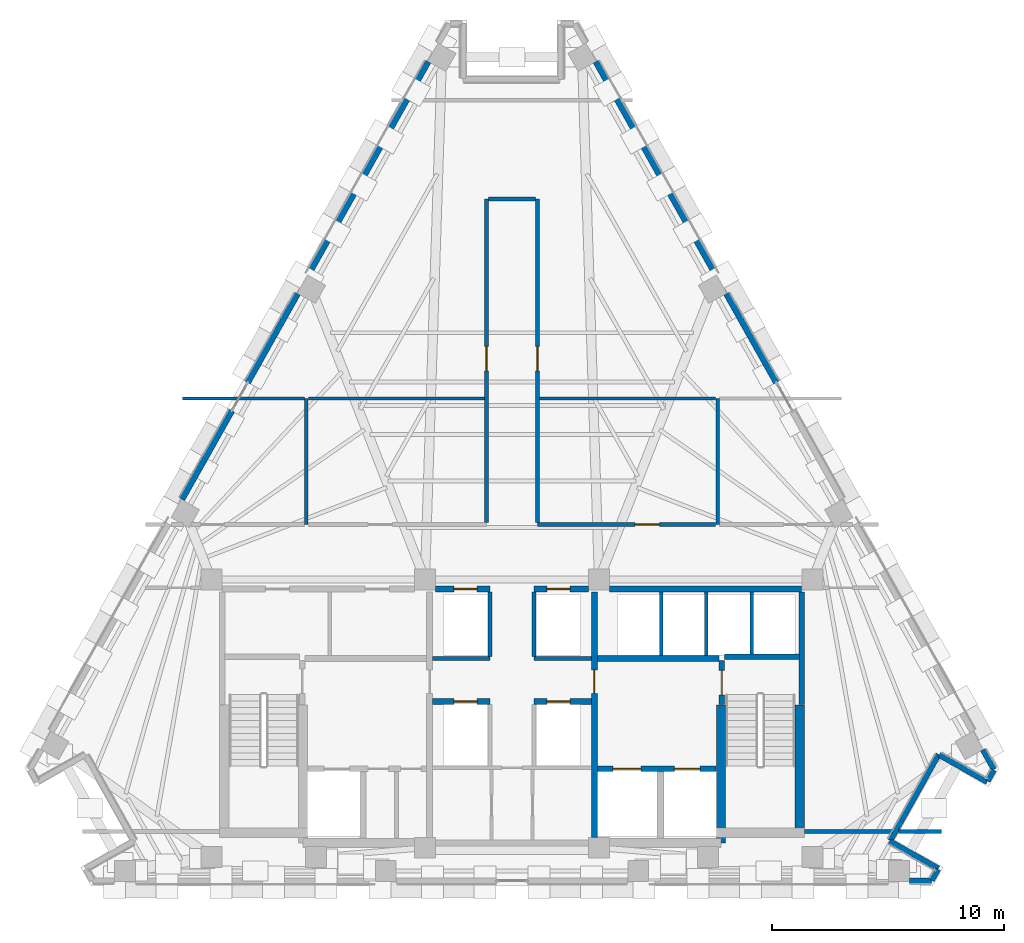
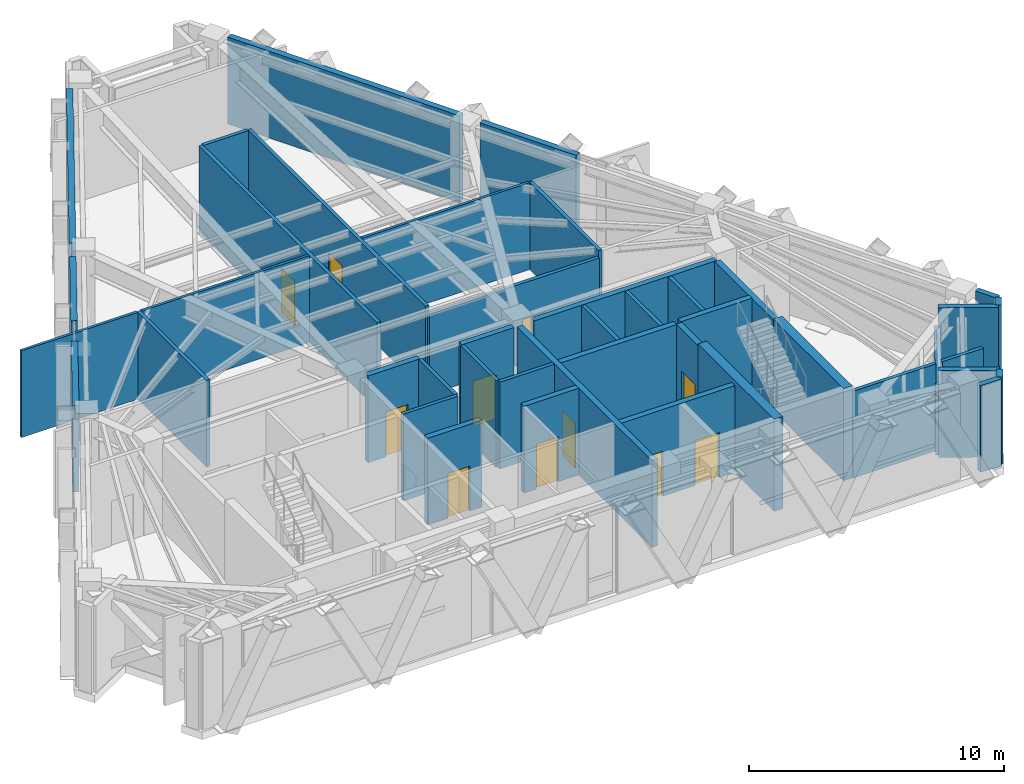
# One storey, part 7 of 11: 43 walls, 11 doors, 11 openings.
"""IFC4 building model written with IfcOpenShell, lengths in metres."""

from ifc_helpers import new_model, si_unit, direction, frame, frame_2d, origin, place, context, subcontext, project, spatial, rectangle, extrude, material, layer, layer_set, type_object, element, fill, save


model = new_model("IFC4")

# Units and contexts
model_context = context("Model", 3, precision=1e-05, world=origin(), true_north=direction((0.0, 1.0)))
body_context = subcontext(model_context, "Body", "Model", "MODEL_VIEW")
ifc_project = project(units=[si_unit("LENGTHUNIT", "METRE"), si_unit("AREAUNIT", "SQUARE_METRE"), si_unit("VOLUMEUNIT", "CUBIC_METRE"), si_unit("PLANEANGLEUNIT", "RADIAN"), si_unit("MASSUNIT", "GRAM", prefix="KILO")], contexts=[model_context])

# Site, building, storey
site_placement = place(None, origin())
site = spatial("IfcSite", under=ifc_project, at=site_placement, CompositionType="ELEMENT")
building_placement = place(site_placement, origin())
building = spatial("IfcBuilding", under=site, at=building_placement, Name="Quenlor Broadcast Tower", CompositionType="ELEMENT")
storey_placement = place(building_placement, frame((0.0, 0.0, 179.0)))
storey = spatial("IfcBuildingStorey", under=building, at=storey_placement, Name="L49", CompositionType="ELEMENT", Elevation=179.0)

# Walls
ifc_material_1 = material(Name="Concrete C50/60", Category="concrete")
ifc_layer_1 = layer(ifc_material_1, 0.39990234375)
ifc_layer_set_1 = layer_set([ifc_layer_1], Name="Core Concrete C50/60 Shear Wall 400")
wall_type_1 = type_object("IfcWallType", Name="Core Concrete C50/60 Shear Wall 400", PredefinedType="SHEAR", material=ifc_layer_set_1)
wall_1_placement = place(storey_placement, frame((12.39990234375, -15.699951171875, 0.0), z_axis=(0.0, 0.0, 1.0), x_axis=(0.0, 1.0, 0.0)))
element("IfcWall", 1, at=wall_1_placement, inside=storey, type_object=wall_type_1, Name="L49 Core Shear Wall WF-E", PredefinedType="SHEAR", context=body_context, shape_type="SweptSolid", body=[
    extrude(rectangle(XDim=5.5, YDim=0.39990234375, at=frame_2d((2.75, 0.0))), origin(), (0.0, 0.0, 1.0), 4.39990234375),
])
wall_2_placement = place(storey_placement, frame((9.0, -16.14990234375, 0.0), z_axis=(0.0, 0.0, 1.0), x_axis=(0.0, 1.0, 0.0)))
element("IfcWall", 2, at=wall_2_placement, inside=storey, type_object=wall_type_1, Name="L49 Core Shear Wall WI-E", PredefinedType="SHEAR", context=body_context, shape_type="SweptSolid", body=[
    extrude(rectangle(XDim=5.949951171875, YDim=0.39990234375, at=frame_2d((2.97509765625, 0.0))), origin(), (0.0, 0.0, 1.0), 4.39990234375),
])

# Wall, opening, door
ifc_material_2 = material(Name="Concrete C40/50", Category="concrete")
ifc_layer_2 = layer(ifc_material_2, 0.25)
ifc_layer_set_2 = layer_set([ifc_layer_2], Name="Fire Rated Concrete C40/50 Core Wall 250")
wall_type_2 = type_object("IfcWallType", Name="Fire Rated Concrete C40/50 Core Wall 250", PredefinedType="PARTITIONING", material=ifc_layer_set_2)
wall_3_placement = place(storey_placement, frame((9.0400390625, -10.179931640625, 0.0), z_axis=(0.0, 0.0, 1.0), x_axis=(0.0, 1.0, 0.0)))
wall_3 = element("IfcWall", 3, at=wall_3_placement, inside=storey, type_object=wall_type_2, Name="L49 Interior Wall CW-ST2-DR", PredefinedType="PARTITIONING", context=body_context, shape_type="SweptSolid", body=[
    extrude(rectangle(XDim=1.89990234375, YDim=0.25, at=frame_2d((0.949951171875, 0.0))), origin(), (0.0, 0.0, 1.0), 4.14990234375),
])
opening_1_placement = place(wall_3_placement, frame((0.419921875, 0.0, 0.0)))
opening_1 = element("IfcOpeningElement", 4, at=opening_1_placement, cuts=wall_3, Name="Opening FD-1", PredefinedType="OPENING", context=body_context, shape_type="SweptSolid", body=[
    extrude(rectangle(XDim=1.050048828125, YDim=2.14990234375, at=frame_2d((0.52490234375, 1.074951171875))), frame((0.0, 0.135009765625, 0.0), z_axis=(0.0, -1.0, 0.0), x_axis=(1.0, 0.0, 0.0)), (0.0, 0.0, 1.0), 0.27001953125),
])
ifc_material_3 = material(Name="Fire Rated Steel Door Leaf", Category="steel")
door_type_1 = type_object("IfcDoorType", Name="Fire Isolated Stair Door 1050x2150", OperationType="NOTDEFINED", PredefinedType="DOOR", material=ifc_material_3)
door_1_placement = place(opening_1_placement, origin())
door_1 = element("IfcDoor", 5, at=door_1_placement, inside=storey, type_object=door_type_1, Name="L49 Door DR-ST2", OperationType="SINGLE_SWING_RIGHT", OverallHeight=2.14990234375, OverallWidth=1.050048828125, PredefinedType="DOOR", context=body_context, shape_type="SweptSolid", body=[
    extrude(rectangle(XDim=1.050048828125, YDim=2.14990234375, at=frame_2d((0.52490234375, 1.074951171875))), frame((0.0, 0.02490234375, 0.0), z_axis=(0.0, -1.0, 0.0), x_axis=(1.0, 0.0, 0.0)), (0.0, 0.0, 1.0), 0.050048828125),
])
fill(opening_1, door_1)

# Walls
wall_4_placement = place(storey_placement, frame((9.159912109375, -8.1201171875, 0.0), z_axis=(0.0, 0.0, 1.0), x_axis=(1.0, 0.0, 0.0)))
element("IfcWall", 6, at=wall_4_placement, inside=storey, type_object=wall_type_2, Name="L49 Interior Wall CW-ST2-N", PredefinedType="PARTITIONING", context=body_context, shape_type="SweptSolid", body=[
    extrude(rectangle(XDim=3.219970703125, YDim=0.25, at=frame_2d((1.60986328125, 0.0))), origin(), (0.0, 0.0, 1.0), 4.14990234375),
])
wall_5_placement = place(storey_placement, frame((12.47998046875, -10.179931640625, 0.0), z_axis=(0.0, 0.0, 1.0), x_axis=(0.0, 1.0, 0.0)))
element("IfcWall", 7, at=wall_5_placement, inside=storey, type_object=wall_type_2, Name="L49 Interior Wall CW-ST2-E2", PredefinedType="PARTITIONING", context=body_context, shape_type="SweptSolid", body=[
    extrude(rectangle(XDim=4.83984375, YDim=0.25, at=frame_2d((2.419921875, 0.0))), origin(), (0.0, 0.0, 1.0), 4.14990234375),
])

# Wall, openings, doors
wall_6_placement = place(storey_placement, frame((3.679931640625, -12.949951171875, 0.0), z_axis=(0.0, 0.0, 1.0), x_axis=(1.0, 0.0, 0.0)))
wall_6 = element("IfcWall", 8, at=wall_6_placement, inside=storey, type_object=wall_type_2, Name="L49 Interior Wall CW-FFE-S", PredefinedType="PARTITIONING", context=body_context, shape_type="SweptSolid", body=[
    extrude(rectangle(XDim=5.1181640625, YDim=0.25, at=frame_2d((2.55908203125, 0.0))), origin(), (0.0, 0.0, 1.0), 4.14990234375),
])
opening_2_placement = place(wall_6_placement, frame((3.320068359375, 0.0, 0.0)))
opening_2 = element("IfcOpeningElement", 9, at=opening_2_placement, cuts=wall_6, Name="Opening LD-FFL-2", PredefinedType="OPENING", context=body_context, shape_type="SweptSolid", body=[
    extrude(rectangle(XDim=1.10009765625, YDim=2.14990234375, at=frame_2d((0.550048828125, 1.074951171875))), frame((0.0, 0.135009765625, 0.0), z_axis=(0.0, -1.0, 0.0), x_axis=(1.0, 0.0, 0.0)), (0.0, 0.0, 1.0), 0.27001953125),
])
opening_3_placement = place(wall_6_placement, frame((0.669921875, 0.0, 0.0)))
opening_3 = element("IfcOpeningElement", 10, at=opening_3_placement, cuts=wall_6, Name="Opening LD-SVL-1", PredefinedType="OPENING", context=body_context, shape_type="SweptSolid", body=[
    extrude(rectangle(XDim=1.199951171875, YDim=2.14990234375, at=frame_2d((0.60009765625, 1.074951171875))), frame((0.0, 0.135009765625, 0.0), z_axis=(0.0, -1.0, 0.0), x_axis=(1.0, 0.0, 0.0)), (0.0, 0.0, 1.0), 0.27001953125),
])
ifc_material_4 = material(Name="Brushed Stainless Steel", Category="steel")
door_type_2 = type_object("IfcDoorType", Name="Emergency Lift Sliding Landing Door 1100x2150", OperationType="NOTDEFINED", PredefinedType="DOOR", material=ifc_material_4)
door_2_placement = place(opening_2_placement, origin())
door_2 = element("IfcDoor", 11, at=door_2_placement, inside=storey, type_object=door_type_2, Name="L49 Door LD-FFL-2", OperationType="SLIDING_TO_RIGHT", OverallHeight=2.14990234375, OverallWidth=1.10009765625, PredefinedType="DOOR", context=body_context, shape_type="SweptSolid", body=[
    extrude(rectangle(XDim=1.10009765625, YDim=2.14990234375, at=frame_2d((0.550048828125, 1.074951171875))), frame((0.0, 0.02490234375, 0.0), z_axis=(0.0, -1.0, 0.0), x_axis=(1.0, 0.0, 0.0)), (0.0, 0.0, 1.0), 0.050048828125),
])
fill(opening_2, door_2)
ifc_material_5 = material(Name="Brushed Stainless Steel", Category="steel")
door_type_3 = type_object("IfcDoorType", Name="Goods Lift Sliding Landing Door 1200x2150", OperationType="NOTDEFINED", PredefinedType="DOOR", material=ifc_material_5)
door_3_placement = place(opening_3_placement, origin())
door_3 = element("IfcDoor", 12, at=door_3_placement, inside=storey, type_object=door_type_3, Name="L49 Door LD-SVL-1", OperationType="SLIDING_TO_LEFT", OverallHeight=2.14990234375, OverallWidth=1.199951171875, PredefinedType="DOOR", context=body_context, shape_type="SweptSolid", body=[
    extrude(rectangle(XDim=1.199951171875, YDim=2.14990234375, at=frame_2d((0.60009765625, 1.074951171875))), frame((0.0, 0.02490234375, 0.0), z_axis=(0.0, -1.0, 0.0), x_axis=(1.0, 0.0, 0.0)), (0.0, 0.0, 1.0), 0.050048828125),
])
fill(opening_3, door_3)

# Wall
wall_7_placement = place(storey_placement, frame((3.679931640625, -8.199951171875, 0.0), z_axis=(0.0, 0.0, 1.0), x_axis=(1.0, 0.0, 0.0)))
element("IfcWall", 13, at=wall_7_placement, inside=storey, type_object=wall_type_2, Name="L49 Interior Wall CW-FFE-N", PredefinedType="PARTITIONING", context=body_context, shape_type="SweptSolid", body=[
    extrude(rectangle(XDim=5.239990234375, YDim=0.25, at=frame_2d((2.6201171875, 0.0))), origin(), (0.0, 0.0, 1.0), 4.14990234375),
])

# Wall, opening, door
wall_8_placement = place(storey_placement, frame((3.550048828125, -15.89794921875, 0.0), z_axis=(0.0, 0.0, 1.0), x_axis=(0.0, 1.0, 0.0)))
wall_8 = element("IfcWall", 14, at=wall_8_placement, inside=storey, type_object=wall_type_2, Name="L49 Interior Wall CW-FFE-W", PredefinedType="PARTITIONING", context=body_context, shape_type="SweptSolid", body=[
    extrude(rectangle(XDim=10.557861328125, YDim=0.25, at=frame_2d((5.27880859375, 0.0))), origin(), (0.0, 0.0, 1.0), 4.14990234375),
])
opening_4_placement = place(wall_8_placement, frame((6.197998046875, 0.0, 0.0)))
opening_4 = element("IfcOpeningElement", 15, at=opening_4_placement, cuts=wall_8, Name="Opening FD-2", PredefinedType="OPENING", context=body_context, shape_type="SweptSolid", body=[
    extrude(rectangle(XDim=1.0, YDim=2.14990234375, at=frame_2d((0.5, 1.074951171875))), frame((0.0, 0.135009765625, 0.0), z_axis=(0.0, -1.0, 0.0), x_axis=(1.0, 0.0, 0.0)), (0.0, 0.0, 1.0), 0.27001953125),
])
ifc_material_6 = material(Name="Fire Rated Glazed Steel Door", Category="steel")
door_type_4 = type_object("IfcDoorType", Name="Firefighting Lobby Smoke Door 1000x2150", OperationType="NOTDEFINED", PredefinedType="DOOR", material=ifc_material_6)
door_4_placement = place(opening_4_placement, origin())
door_4 = element("IfcDoor", 16, at=door_4_placement, inside=storey, type_object=door_type_4, Name="L49 Door DR-FFLE", OperationType="SINGLE_SWING_LEFT", OverallHeight=2.14990234375, OverallWidth=1.0, PredefinedType="DOOR", context=body_context, shape_type="SweptSolid", body=[
    extrude(rectangle(XDim=1.0, YDim=2.14990234375, at=frame_2d((0.5, 1.074951171875))), frame((0.0, 0.02490234375, 0.0), z_axis=(0.0, -1.0, 0.0), x_axis=(1.0, 0.0, 0.0)), (0.0, 0.0, 1.0), 0.050048828125),
])
fill(opening_4, door_4)

# Wall
wall_9_placement = place(storey_placement, frame((4.201904296875, -5.199951171875, 0.0), z_axis=(0.0, 0.0, 1.0), x_axis=(1.0, 0.0, 0.0)))
element("IfcWall", 17, at=wall_9_placement, inside=storey, type_object=wall_type_2, Name="L49 Interior Wall CW-N-E", PredefinedType="PARTITIONING", context=body_context, shape_type="SweptSolid", body=[
    extrude(rectangle(XDim=8.278076171875, YDim=0.25, at=frame_2d((4.13916015625, 0.0))), origin(), (0.0, 0.0, 1.0), 4.14990234375),
])

# Wall, opening, door
wall_10_placement = place(storey_placement, frame((-3.298095703125, -5.199951171875, 0.0), z_axis=(0.0, 0.0, 1.0), x_axis=(1.0, 0.0, 0.0)))
wall_10 = element("IfcWall", 18, at=wall_10_placement, inside=storey, type_object=wall_type_2, Name="L49 Interior Wall CW-N-M1", PredefinedType="PARTITIONING", context=body_context, shape_type="SweptSolid", body=[
    extrude(rectangle(XDim=2.34814453125, YDim=0.25, at=frame_2d((1.174072265625, 0.0))), origin(), (0.0, 0.0, 1.0), 4.14990234375),
])
opening_5_placement = place(wall_10_placement, frame((0.798095703125, 0.0, 0.0)))
opening_5 = element("IfcOpeningElement", 19, at=opening_5_placement, cuts=wall_10, Name="Opening LD-PL-M1", PredefinedType="OPENING", context=body_context, shape_type="SweptSolid", body=[
    extrude(rectangle(XDim=1.0, YDim=2.14990234375, at=frame_2d((0.5, 1.074951171875))), frame((0.0, 0.135009765625, 0.0), z_axis=(0.0, -1.0, 0.0), x_axis=(1.0, 0.0, 0.0)), (0.0, 0.0, 1.0), 0.27001953125),
])
ifc_material_7 = material(Name="Brushed Stainless Steel", Category="steel")
door_type_5 = type_object("IfcDoorType", Name="Passenger Lift Sliding Landing Door 1000x2150", OperationType="NOTDEFINED", PredefinedType="DOOR", material=ifc_material_7)
door_5_placement = place(opening_5_placement, origin())
door_5 = element("IfcDoor", 20, at=door_5_placement, inside=storey, type_object=door_type_5, Name="L49 Door LD-PL-M1", OperationType="SLIDING_TO_LEFT", OverallHeight=2.14990234375, OverallWidth=1.0, PredefinedType="DOOR", context=body_context, shape_type="SweptSolid", body=[
    extrude(rectangle(XDim=1.0, YDim=2.14990234375, at=frame_2d((0.5, 1.074951171875))), frame((0.0, 0.02490234375, 0.0), z_axis=(0.0, -1.0, 0.0), x_axis=(1.0, 0.0, 0.0)), (0.0, 0.0, 1.0), 0.050048828125),
])
fill(opening_5, door_5)

wall_11_placement = place(storey_placement, frame((0.949951171875, -5.199951171875, 0.0), z_axis=(0.0, 0.0, 1.0), x_axis=(1.0, 0.0, 0.0)))
wall_11 = element("IfcWall", 21, at=wall_11_placement, inside=storey, type_object=wall_type_2, Name="L49 Interior Wall CW-N-M2", PredefinedType="PARTITIONING", context=body_context, shape_type="SweptSolid", body=[
    extrude(rectangle(XDim=2.34814453125, YDim=0.25, at=frame_2d((1.174072265625, 0.0))), origin(), (0.0, 0.0, 1.0), 4.14990234375),
])
opening_6_placement = place(wall_11_placement, frame((0.550048828125, 0.0, 0.0)))
opening_6 = element("IfcOpeningElement", 22, at=opening_6_placement, cuts=wall_11, Name="Opening LD-PL-M2", PredefinedType="OPENING", context=body_context, shape_type="SweptSolid", body=[
    extrude(rectangle(XDim=1.0, YDim=2.14990234375, at=frame_2d((0.5, 1.074951171875))), frame((0.0, 0.135009765625, 0.0), z_axis=(0.0, -1.0, 0.0), x_axis=(1.0, 0.0, 0.0)), (0.0, 0.0, 1.0), 0.27001953125),
])
door_6_placement = place(opening_6_placement, origin())
door_6 = element("IfcDoor", 23, at=door_6_placement, inside=storey, type_object=door_type_5, Name="L49 Door LD-PL-M2", OperationType="SLIDING_TO_RIGHT", OverallHeight=2.14990234375, OverallWidth=1.0, PredefinedType="DOOR", context=body_context, shape_type="SweptSolid", body=[
    extrude(rectangle(XDim=1.0, YDim=2.14990234375, at=frame_2d((0.5, 1.074951171875))), frame((0.0, 0.02490234375, 0.0), z_axis=(0.0, -1.0, 0.0), x_axis=(1.0, 0.0, 0.0)), (0.0, 0.0, 1.0), 0.050048828125),
])
fill(opening_6, door_6)

wall_12_placement = place(storey_placement, frame((-3.419921875, -10.050048828125, 0.0), z_axis=(0.0, 0.0, 1.0), x_axis=(1.0, 0.0, 0.0)))
wall_12 = element("IfcWall", 24, at=wall_12_placement, inside=storey, type_object=wall_type_2, Name="L49 Interior Wall CW-MS-N1", PredefinedType="PARTITIONING", context=body_context, shape_type="SweptSolid", body=[
    extrude(rectangle(XDim=2.469970703125, YDim=0.25, at=frame_2d((1.23486328125, 0.0))), origin(), (0.0, 0.0, 1.0), 4.14990234375),
])
opening_7_placement = place(wall_12_placement, frame((0.919921875, 0.0, 0.0)))
opening_7 = element("IfcOpeningElement", 25, at=opening_7_placement, cuts=wall_12, Name="Opening LD-PL-M3", PredefinedType="OPENING", context=body_context, shape_type="SweptSolid", body=[
    extrude(rectangle(XDim=1.0, YDim=2.14990234375, at=frame_2d((0.5, 1.074951171875))), frame((0.0, 0.135009765625, 0.0), z_axis=(0.0, -1.0, 0.0), x_axis=(1.0, 0.0, 0.0)), (0.0, 0.0, 1.0), 0.27001953125),
])
door_7_placement = place(opening_7_placement, origin())
door_7 = element("IfcDoor", 26, at=door_7_placement, inside=storey, type_object=door_type_5, Name="L49 Door LD-PL-M3", OperationType="SLIDING_TO_LEFT", OverallHeight=2.14990234375, OverallWidth=1.0, PredefinedType="DOOR", context=body_context, shape_type="SweptSolid", body=[
    extrude(rectangle(XDim=1.0, YDim=2.14990234375, at=frame_2d((0.5, 1.074951171875))), frame((0.0, 0.02490234375, 0.0), z_axis=(0.0, -1.0, 0.0), x_axis=(1.0, 0.0, 0.0)), (0.0, 0.0, 1.0), 0.050048828125),
])
fill(opening_7, door_7)

wall_13_placement = place(storey_placement, frame((0.949951171875, -10.050048828125, 0.0), z_axis=(0.0, 0.0, 1.0), x_axis=(1.0, 0.0, 0.0)))
wall_13 = element("IfcWall", 27, at=wall_13_placement, inside=storey, type_object=wall_type_2, Name="L49 Interior Wall CW-MS-N2", PredefinedType="PARTITIONING", context=body_context, shape_type="SweptSolid", body=[
    extrude(rectangle(XDim=2.469970703125, YDim=0.25, at=frame_2d((1.23486328125, 0.0))), origin(), (0.0, 0.0, 1.0), 4.14990234375),
])
opening_8_placement = place(wall_13_placement, frame((0.550048828125, 0.0, 0.0)))
opening_8 = element("IfcOpeningElement", 28, at=opening_8_placement, cuts=wall_13, Name="Opening LD-PL-M4", PredefinedType="OPENING", context=body_context, shape_type="SweptSolid", body=[
    extrude(rectangle(XDim=1.0, YDim=2.14990234375, at=frame_2d((0.5, 1.074951171875))), frame((0.0, 0.135009765625, 0.0), z_axis=(0.0, -1.0, 0.0), x_axis=(1.0, 0.0, 0.0)), (0.0, 0.0, 1.0), 0.27001953125),
])
door_8_placement = place(opening_8_placement, origin())
door_8 = element("IfcDoor", 29, at=door_8_placement, inside=storey, type_object=door_type_5, Name="L49 Door LD-PL-M4", OperationType="SLIDING_TO_RIGHT", OverallHeight=2.14990234375, OverallWidth=1.0, PredefinedType="DOOR", context=body_context, shape_type="SweptSolid", body=[
    extrude(rectangle(XDim=1.0, YDim=2.14990234375, at=frame_2d((0.5, 1.074951171875))), frame((0.0, 0.02490234375, 0.0), z_axis=(0.0, -1.0, 0.0), x_axis=(1.0, 0.0, 0.0)), (0.0, 0.0, 1.0), 0.050048828125),
])
fill(opening_8, door_8)

# Walls
ifc_material_8 = material(Name="Gypsum Fireboard Partition", Category="other")
ifc_layer_3 = layer(ifc_material_8, 0.159912109375)
ifc_layer_set_3 = layer_set([ifc_layer_3], Name="Fire Rated Shaft and Corridor Partition 160")
wall_type_3 = type_object("IfcWallType", Name="Fire Rated Shaft and Corridor Partition 160", PredefinedType="PARTITIONING", material=ifc_layer_set_3)
for number, where, z_axis, x_axis, name in (
    (30, (6.425048828125, -8.072998046875, 0.0), (0.0, 0.0, 1.0), (0.0, 1.0, 0.0), "L49 Interior Wall CW-PLH-D1"),
    (31, (8.375, -8.072998046875, 0.0), (0.0, 0.0, 1.0), (0.0, 1.0, 0.0), "L49 Interior Wall CW-PLH-D2"),
):
    element("IfcWall", number, at=place(storey_placement, frame(where, z_axis=z_axis, x_axis=x_axis)), inside=storey, type_object=wall_type_3, Name=name, PredefinedType="PARTITIONING", context=body_context, shape_type="SweptSolid", body=[
        extrude(rectangle(XDim=2.73291015625, YDim=0.159912109375, at=frame_2d((1.366455078125, 0.0))), origin(), (0.0, 0.0, 1.0), 4.14990234375),
    ])
wall_14_placement = place(storey_placement, frame((10.324951171875, -7.992919921875, 0.0), z_axis=(0.0, 0.0, 1.0), x_axis=(0.0, 1.0, 0.0)))
element("IfcWall", 32, at=wall_14_placement, inside=storey, type_object=wall_type_3, Name="L49 Interior Wall CW-PLH-D3", PredefinedType="PARTITIONING", context=body_context, shape_type="SweptSolid", body=[
    extrude(rectangle(XDim=2.65283203125, YDim=0.159912109375, at=frame_2d((1.326416015625, 0.0))), origin(), (0.0, 0.0, 1.0), 4.14990234375),
])
for number, where, z_axis, x_axis, name in (
    (33, (-0.949951171875, -8.1201171875, 0.0), (0.0, 0.0, 1.0), (0.0, 1.0, 0.0), "L49 Interior Wall CW-CCRP-W"),
    (34, (0.949951171875, -8.1201171875, 0.0), (0.0, 0.0, 1.0), (0.0, 1.0, 0.0), "L49 Interior Wall CW-CCRP-E"),
):
    element("IfcWall", number, at=place(storey_placement, frame(where, z_axis=z_axis, x_axis=x_axis)), inside=storey, type_object=wall_type_3, Name=name, PredefinedType="PARTITIONING", context=body_context, shape_type="SweptSolid", body=[
        extrude(rectangle(XDim=2.780029296875, YDim=0.159912109375, at=frame_2d((1.39013671875, 0.0))), origin(), (0.0, 0.0, 1.0), 4.14990234375),
    ])
for number, where, z_axis, x_axis, name in (
    (35, (-3.419921875, -8.199951171875, 0.0), (0.0, 0.0, 1.0), (1.0, 0.0, 0.0), "L49 Interior Wall CW-M-BACK1"),
    (36, (0.949951171875, -8.199951171875, 0.0), (0.0, 0.0, 1.0), (1.0, 0.0, 0.0), "L49 Interior Wall CW-M-BACK2"),
):
    element("IfcWall", number, at=place(storey_placement, frame(where, z_axis=z_axis, x_axis=x_axis)), inside=storey, type_object=wall_type_3, Name=name, PredefinedType="PARTITIONING", context=body_context, shape_type="SweptSolid", body=[
        extrude(rectangle(XDim=2.469970703125, YDim=0.159912109375, at=frame_2d((1.23486328125, 0.0))), origin(), (0.0, 0.0, 1.0), 4.14990234375),
    ])
for number, where, z_axis, x_axis, name in (
    (37, (-8.860107421875, -2.419921875, 0.0), (0.0, 0.0, 1.0), (0.0, 1.0, 0.0), "L49 Interior Wall PW-RF-NMW"),
    (38, (8.860107421875, -2.419921875, 0.0), (0.0, 0.0, 1.0), (0.0, 1.0, 0.0), "L49 Interior Wall PW-RF-NME"),
):
    element("IfcWall", number, at=place(storey_placement, frame(where, z_axis=z_axis, x_axis=x_axis)), inside=storey, type_object=wall_type_3, Name=name, PredefinedType="PARTITIONING", context=body_context, shape_type="SweptSolid", body=[
        extrude(rectangle(XDim=5.419921875, YDim=0.159912109375, at=frame_2d((2.7099609375, 0.0))), origin(), (0.0, 0.0, 1.0), 4.14990234375),
    ])
wall_15_placement = place(storey_placement, frame((12.60205078125, -15.64990234375, 0.0), z_axis=(0.0, 0.0, 1.0), x_axis=(1.0, 0.0, 0.0)))
element("IfcWall", 39, at=wall_15_placement, inside=storey, type_object=wall_type_3, Name="L49 Interior Wall PW-PL-SBOTE", PredefinedType="PARTITIONING", context=body_context, shape_type="SweptSolid", body=[
    extrude(rectangle(XDim=3.7685546875, YDim=0.159912109375, at=frame_2d((1.88427734375, 0.0))), origin(), (0.0, 0.0, 1.0), 4.14990234375),
])
wall_16_placement = place(storey_placement, frame((16.650634765625, -15.64990234375, 0.0), z_axis=(0.0, 0.0, 1.0), x_axis=(1.0, 0.0, 0.0)))
element("IfcWall", 40, at=wall_16_placement, inside=storey, type_object=wall_type_3, Name="L49 Interior Wall PW-PL-SBOTES2", PredefinedType="PARTITIONING", context=body_context, shape_type="SweptSolid", body=[
    extrude(rectangle(XDim=1.849365234375, YDim=0.159912109375, at=frame_2d((0.9248046875, 0.0))), origin(), (0.0, 0.0, 1.0), 4.14990234375),
])

# Wall, opening, door
wall_17_placement = place(storey_placement, frame((1.10009765625, -2.419921875, 0.0), z_axis=(0.0, 0.0, 1.0), x_axis=(1.0, 0.0, 0.0)))
wall_17 = element("IfcWall", 41, at=wall_17_placement, inside=storey, type_object=wall_type_3, Name="L49 Interior Wall PW-PL-HE", PredefinedType="PARTITIONING", context=body_context, shape_type="SweptSolid", body=[
    extrude(rectangle(XDim=7.677978515625, YDim=0.159912109375, at=frame_2d((3.8388671875, 0.0))), origin(), (0.0, 0.0, 1.0), 3.8427734375),
])
opening_9_placement = place(wall_17_placement, frame((4.199951171875, 0.0, 0.0)))
opening_9 = element("IfcOpeningElement", 42, at=opening_9_placement, cuts=wall_17, Name="Opening FD-3", PredefinedType="OPENING", context=body_context, shape_type="SweptSolid", body=[
    extrude(rectangle(XDim=1.050048828125, YDim=2.1201171875, at=frame_2d((0.52490234375, 1.06005859375))), frame((0.0, 0.08984375, 0.0), z_axis=(0.0, -1.0, 0.0), x_axis=(1.0, 0.0, 0.0)), (0.0, 0.0, 1.0), 0.179931640625),
])
ifc_material_9 = material(Name="Galvanised Fire Steel Leaf", Category="steel")
door_type_6 = type_object("IfcDoorType", Name="Plant Room Fire Rated Door 1050x2120", OperationType="NOTDEFINED", PredefinedType="DOOR", material=ifc_material_9)
door_9_placement = place(opening_9_placement, origin())
door_9 = element("IfcDoor", 43, at=door_9_placement, inside=storey, type_object=door_type_6, Name="L49 Door DR-PLT2", OperationType="SINGLE_SWING_RIGHT", OverallHeight=2.1201171875, OverallWidth=1.050048828125, PredefinedType="DOOR", context=body_context, shape_type="SweptSolid", body=[
    extrude(rectangle(XDim=1.050048828125, YDim=2.1201171875, at=frame_2d((0.52490234375, 1.06005859375))), frame((0.0, 0.02490234375, 0.0), z_axis=(0.0, -1.0, 0.0), x_axis=(1.0, 0.0, 0.0)), (0.0, 0.0, 1.0), 0.050048828125),
])
fill(opening_9, door_9)

wall_18_placement = place(storey_placement, frame((-1.10009765625, -2.337890625, 0.0), z_axis=(0.0, 0.0, 1.0), x_axis=(0.0, 1.0, 0.0)))
wall_18 = element("IfcWall", 44, at=wall_18_placement, inside=storey, type_object=wall_type_3, Name="L49 Interior Wall PW-PL-SW", PredefinedType="PARTITIONING", context=body_context, shape_type="SweptSolid", body=[
    extrude(rectangle(XDim=13.93798828125, YDim=0.159912109375, at=frame_2d((6.968994140625, 0.0))), origin(), (0.0, 0.0, 1.0), 4.14990234375),
])
opening_10_placement = place(wall_18_placement, frame((6.5380859375, 0.0, 0.0)))
opening_10 = element("IfcOpeningElement", 45, at=opening_10_placement, cuts=wall_18, Name="Opening FD-3", PredefinedType="OPENING", context=body_context, shape_type="SweptSolid", body=[
    extrude(rectangle(XDim=1.050048828125, YDim=2.1201171875, at=frame_2d((0.52490234375, 1.06005859375))), frame((0.0, 0.08984375, 0.0), z_axis=(0.0, -1.0, 0.0), x_axis=(1.0, 0.0, 0.0)), (0.0, 0.0, 1.0), 0.179931640625),
])
door_10_placement = place(opening_10_placement, origin())
door_10 = element("IfcDoor", 46, at=door_10_placement, inside=storey, type_object=door_type_6, Name="L49 Door DR-PLT3", OperationType="SINGLE_SWING_LEFT", OverallHeight=2.1201171875, OverallWidth=1.050048828125, PredefinedType="DOOR", context=body_context, shape_type="SweptSolid", body=[
    extrude(rectangle(XDim=1.050048828125, YDim=2.1201171875, at=frame_2d((0.52490234375, 1.06005859375))), frame((0.0, 0.02490234375, 0.0), z_axis=(0.0, -1.0, 0.0), x_axis=(1.0, 0.0, 0.0)), (0.0, 0.0, 1.0), 0.050048828125),
])
fill(opening_10, door_10)

wall_19_placement = place(storey_placement, frame((1.10009765625, -2.337890625, 0.0), z_axis=(0.0, 0.0, 1.0), x_axis=(0.0, 1.0, 0.0)))
wall_19 = element("IfcWall", 47, at=wall_19_placement, inside=storey, type_object=wall_type_3, Name="L49 Interior Wall PW-PL-SE", PredefinedType="PARTITIONING", context=body_context, shape_type="SweptSolid", body=[
    extrude(rectangle(XDim=13.93798828125, YDim=0.159912109375, at=frame_2d((6.968994140625, 0.0))), origin(), (0.0, 0.0, 1.0), 4.14990234375),
])
opening_11_placement = place(wall_19_placement, frame((6.5380859375, 0.0, 0.0)))
opening_11 = element("IfcOpeningElement", 48, at=opening_11_placement, cuts=wall_19, Name="Opening FD-3", PredefinedType="OPENING", context=body_context, shape_type="SweptSolid", body=[
    extrude(rectangle(XDim=1.050048828125, YDim=2.1201171875, at=frame_2d((0.52490234375, 1.06005859375))), frame((0.0, 0.08984375, 0.0), z_axis=(0.0, -1.0, 0.0), x_axis=(1.0, 0.0, 0.0)), (0.0, 0.0, 1.0), 0.179931640625),
])
door_11_placement = place(opening_11_placement, origin())
door_11 = element("IfcDoor", 49, at=door_11_placement, inside=storey, type_object=door_type_6, Name="L49 Door DR-PLT4", OperationType="SINGLE_SWING_RIGHT", OverallHeight=2.1201171875, OverallWidth=1.050048828125, PredefinedType="DOOR", context=body_context, shape_type="SweptSolid", body=[
    extrude(rectangle(XDim=1.050048828125, YDim=2.1201171875, at=frame_2d((0.52490234375, 1.06005859375))), frame((0.0, 0.02490234375, 0.0), z_axis=(0.0, -1.0, 0.0), x_axis=(1.0, 0.0, 0.0)), (0.0, 0.0, 1.0), 0.050048828125),
])
fill(opening_11, door_11)

# Walls
wall_20_placement = place(storey_placement, frame((-1.01806640625, 11.60009765625, 0.0), z_axis=(0.0, 0.0, 1.0), x_axis=(1.0, 0.0, 0.0)))
element("IfcWall", 50, at=wall_20_placement, inside=storey, type_object=wall_type_3, Name="L49 Interior Wall PW-PL-N", PredefinedType="PARTITIONING", context=body_context, shape_type="SweptSolid", body=[
    extrude(rectangle(XDim=2.0361328125, YDim=0.159912109375, at=frame_2d((1.01806640625, 0.0))), origin(), (0.0, 0.0, 1.0), 4.14990234375),
])
ifc_material_10 = material(Name="Gypsum Plasterboard Partition", Category="other")
ifc_layer_4 = layer(ifc_material_10, 0.1201171875)
ifc_layer_set_4 = layer_set([ifc_layer_4], Name="Standard Office Partition 120")
wall_type_4 = type_object("IfcWallType", Name="Standard Office Partition 120", PredefinedType="PARTITIONING", material=ifc_layer_set_4)
wall_21_placement = place(storey_placement, frame((-14.199951171875, 3.0, 0.0), z_axis=(0.0, 0.0, 1.0), x_axis=(1.0, 0.0, 0.0)))
element("IfcWall", 51, at=wall_21_placement, inside=storey, type_object=wall_type_4, Name="L49 Interior Wall PW-PL-YW", PredefinedType="PARTITIONING", context=body_context, shape_type="SweptSolid", body=[
    extrude(rectangle(XDim=5.258056640625, YDim=0.1201171875, at=frame_2d((2.62890625, 0.0))), origin(), (0.0, 0.0, 1.0), 4.14990234375),
])
for number, where, z_axis, x_axis, name in (
    (52, (-8.778076171875, 3.0, 0.0), (0.0, 0.0, 1.0), (1.0, 0.0, 0.0), "L49 Interior Wall PW-PL-YWS2"),
    (53, (1.181884765625, 3.0, 0.0), (0.0, 0.0, 1.0), (1.0, 0.0, 0.0), "L49 Interior Wall PW-PL-YE"),
):
    element("IfcWall", number, at=place(storey_placement, frame(where, z_axis=z_axis, x_axis=x_axis)), inside=storey, type_object=wall_type_4, Name=name, PredefinedType="PARTITIONING", context=body_context, shape_type="SweptSolid", body=[
        extrude(rectangle(XDim=7.59619140625, YDim=0.1201171875, at=frame_2d((3.798095703125, 0.0))), origin(), (0.0, 0.0, 1.0), 4.14990234375),
    ])
ifc_material_11 = material(Name="Precast concrete C40/50", Category="concrete")
ifc_layer_5 = layer(ifc_material_11, 0.239990234375)
ifc_layer_set_5 = layer_set([ifc_layer_5], Name="Terrace Threshold Precast Concrete C40/50 Wall 240")
wall_type_5 = type_object("IfcWallType", Name="Terrace Threshold Precast Concrete C40/50 Wall 240", PredefinedType="STANDARD", material=ifc_layer_set_5)
wall_22_placement = place(storey_placement, frame((18.06591796875, -17.77490234375, 0.0), z_axis=(0.0, 0.0, 1.0), x_axis=(-1.0, 0.0, 0.0)))
element("IfcWall", 54, at=wall_22_placement, inside=storey, type_object=wall_type_5, Name="L49 Exterior Wall L49-SHD-SS0", PredefinedType="STANDARD", context=body_context, shape_type="SweptSolid", body=[
    extrude(rectangle(XDim=0.93505859375, YDim=0.239990234375, at=frame_2d((0.467529296875, 0.0))), origin(), (0.0, 0.0, 1.0), 4.14990234375),
])
wall_23_placement = place(storey_placement, frame((20.289794921875, -12.1298828125, 0.0), z_axis=(0.0, 0.0, 1.0), x_axis=(0.490345412687, -0.87152818443, 0.0)))
element("IfcWall", 55, at=wall_23_placement, inside=storey, type_object=wall_type_5, Name="L49 Exterior Wall L49-SHD-NES1", PredefinedType="STANDARD", context=body_context, shape_type="SweptSolid", body=[
    extrude(rectangle(XDim=0.9638671875, YDim=0.239990234375, at=frame_2d((0.48193359375, 0.0))), origin(), (0.0, 0.0, 1.0), 4.14990234375),
])
wall_24_placement = place(storey_placement, frame((18.365966796875, -17.246826171875, 0.0), z_axis=(0.0, 0.0, 1.0), x_axis=(-0.871597270235, 0.490222600988, 0.0)))
element("IfcWall", 56, at=wall_24_placement, inside=storey, type_object=wall_type_5, Name="L49 Exterior Wall L49-CNR-01", PredefinedType="STANDARD", context=body_context, shape_type="SweptSolid", body=[
    extrude(rectangle(XDim=2.39990234375, YDim=0.239990234375, at=frame_2d((1.199951171875, 0.0))), origin(), (0.0, 0.0, 1.0), 4.14990234375),
])
wall_25_placement = place(storey_placement, frame((16.293701171875, -16.035400390625, 0.0), z_axis=(0.0, 0.0, 1.0), x_axis=(0.49027487746, 0.871567865706, 0.0)))
element("IfcWall", 57, at=wall_25_placement, inside=storey, type_object=wall_type_5, Name="L49 Exterior Wall L49-CNR-02", PredefinedType="STANDARD", context=body_context, shape_type="SweptSolid", body=[
    extrude(rectangle(XDim=4.249755859375, YDim=0.239990234375, at=frame_2d((2.125, 0.0))), origin(), (0.0, 0.0, 1.0), 3.22607421875),
])
wall_26_placement = place(storey_placement, frame((18.412109375, -12.351318359375, 0.0), z_axis=(0.0, 0.0, 1.0), x_axis=(0.871578299909, -0.490256327984, 0.0)))
element("IfcWall", 58, at=wall_26_placement, inside=storey, type_object=wall_type_5, Name="L49 Exterior Wall L49-CNR-03", PredefinedType="STANDARD", context=body_context, shape_type="SweptSolid", body=[
    extrude(rectangle(XDim=2.35986328125, YDim=0.239990234375, at=frame_2d((1.179931640625, 0.0))), origin(), (0.0, 0.0, 1.0), 4.14990234375),
])
wall_27_placement = place(storey_placement, frame((20.48876953125, -13.473388671875, 0.0), z_axis=(0.0, 0.0, 1.0), x_axis=(0.490133374867, 0.87164744871, 0.0)))
element("IfcWall", 59, at=wall_27_placement, inside=storey, type_object=wall_type_5, Name="L49 Exterior Wall L49-CNR-04", PredefinedType="STANDARD", context=body_context, shape_type="SweptSolid", body=[
    extrude(rectangle(XDim=0.5439453125, YDim=0.239990234375, at=frame_2d((0.27197265625, 0.0))), origin(), (0.0, 0.0, 1.0), 4.14990234375),
])
wall_28_placement = place(storey_placement, frame((18.081298828125, -17.752685546875, 0.0), z_axis=(0.0, 0.0, 1.0), x_axis=(0.490582915772, 0.871394516136, 0.0)))
element("IfcWall", 60, at=wall_28_placement, inside=storey, type_object=wall_type_5, Name="L49 Exterior Wall L49-CNR-18", PredefinedType="STANDARD", context=body_context, shape_type="SweptSolid", body=[
    extrude(rectangle(XDim=0.54052734375, YDim=0.239990234375, at=frame_2d((0.270263671875, 0.0))), origin(), (0.0, 0.0, 1.0), 4.14990234375),
])
ifc_material_12 = material(Name="Precast concrete C40/50", Category="concrete")
ifc_layer_6 = layer(ifc_material_12, 0.260009765625)
ifc_layer_set_6 = layer_set([ifc_layer_6], Name="Terracotta Precast Concrete C40/50 Upper Wall 260")
wall_type_6 = type_object("IfcWallType", Name="Terracotta Precast Concrete C40/50 Upper Wall 260", PredefinedType="STANDARD", material=ifc_layer_set_6)
wall_29_placement = place(storey_placement, frame((3.614013671875, 17.51611328125, 0.0), z_axis=(0.0, 0.0, 1.0), x_axis=(0.490256845386, -0.871578008873, 0.0)))
element("IfcWall", 61, at=wall_29_placement, inside=storey, type_object=wall_type_6, Name="L49 Exterior Wall L49-EW-NEA", PredefinedType="STANDARD", context=body_context, shape_type="SweptSolid", body=[
    extrude(rectangle(XDim=10.55126953125, YDim=0.260009765625, at=frame_2d((5.275634765625, 0.0))), origin(), (0.0, 0.0, 1.0), 4.14990234375),
])
wall_30_placement = place(storey_placement, frame((9.240478515625, 7.513671875, 0.0), z_axis=(0.0, 0.0, 1.0), x_axis=(0.490240072733, -0.871587443167, 0.0)))
element("IfcWall", 62, at=wall_30_placement, inside=storey, type_object=wall_type_6, Name="L49 Exterior Wall L49-NE-SP1", PredefinedType="STANDARD", context=body_context, shape_type="SweptSolid", body=[
    extrude(rectangle(XDim=4.380859375, YDim=0.260009765625, at=frame_2d((2.1904296875, 0.0))), origin(), (0.0, 0.0, 1.0), 4.14990234375),
])
wall_31_placement = place(storey_placement, frame((-8.786865234375, 8.31982421875, 0.0), z_axis=(0.0, 0.0, 1.0), x_axis=(0.490256845386, 0.871578008873, 0.0)))
element("IfcWall", 63, at=wall_31_placement, inside=storey, type_object=wall_type_6, Name="L49 Exterior Wall L49-EW-NWC", PredefinedType="STANDARD", context=body_context, shape_type="SweptSolid", body=[
    extrude(rectangle(XDim=10.55126953125, YDim=0.260009765625, at=frame_2d((5.275634765625, 0.0))), origin(), (0.0, 0.0, 1.0), 4.14990234375),
])
for number, where, z_axis, x_axis, name in (
    (64, (-14.21728515625, -1.334228515625, 0.0), (0.0, 0.0, 1.0), (0.490240072733, 0.871587443167, 0.0), "L49 Exterior Wall L49-NW-SP1"),
    (65, (-11.38818359375, 3.6953125, 0.0), (0.0, 0.0, 1.0), (0.490240072733, 0.871587443167, 0.0), "L49 Exterior Wall L49-NW-SP2"),
):
    element("IfcWall", number, at=place(storey_placement, frame(where, z_axis=z_axis, x_axis=x_axis)), inside=storey, type_object=wall_type_6, Name=name, PredefinedType="STANDARD", context=body_context, shape_type="SweptSolid", body=[
        extrude(rectangle(XDim=4.380859375, YDim=0.260009765625, at=frame_2d((2.1904296875, 0.0))), origin(), (0.0, 0.0, 1.0), 4.14990234375),
    ])

save(model, "model.ifc")
